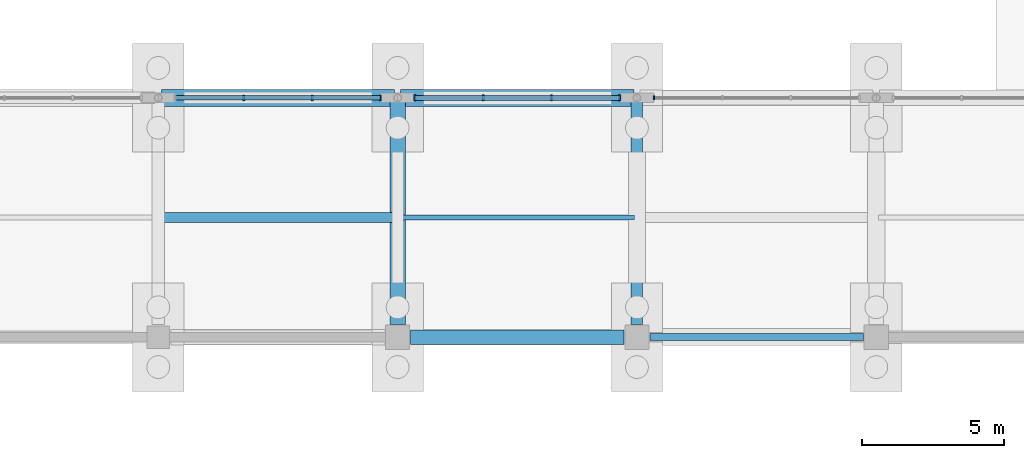
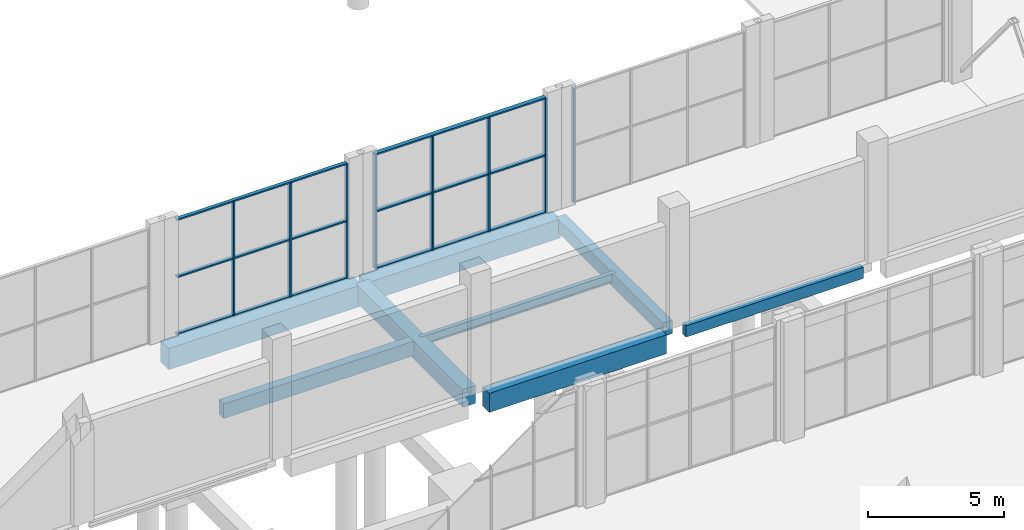
# One storey, part 36 of 82: 14 members, 8 beams, 3 elements without a shape of their own.
"""IFC4 building model written with IfcOpenShell, lengths in metres."""

from ifc_helpers import new_model, si_unit, derived_unit, direction, frame, origin, origin_2d, place, context, subcontext, project, spatial, rectangle, i_section, extrude, material, material_profile, profile_set, type_object, element, aggregate, save


model = new_model("IFC4")

# Units and contexts
model_context = context("Model", 3, precision=1e-05, world=origin(), true_north=direction((0.0, 1.0)))
body_context = subcontext(model_context, "Body", "Model", "MODEL_VIEW")
ifc_project = project(units=[si_unit("LENGTHUNIT", "METRE"), si_unit("AREAUNIT", "SQUARE_METRE"), si_unit("VOLUMEUNIT", "CUBIC_METRE"), si_unit("PLANEANGLEUNIT", "RADIAN"), si_unit("MASSUNIT", "GRAM", prefix="KILO"), derived_unit("THERMALTRANSMITTANCEUNIT", [(si_unit("POWERUNIT", "WATT"), 1), (si_unit("LENGTHUNIT", "METRE"), -2), (si_unit("THERMODYNAMICTEMPERATUREUNIT", "KELVIN"), -1)])], contexts=[model_context])

# Site, building, storey
site_placement = place(None, origin())
site = spatial("IfcSite", under=ifc_project, at=site_placement, CompositionType="ELEMENT")
building_placement = place(site_placement, origin())
building = spatial("IfcBuilding", under=site, at=building_placement, Name="Barrovel Congress Hotel", CompositionType="ELEMENT")
storey_placement = place(building_placement, origin())
storey = spatial("IfcBuildingStorey", under=building, at=storey_placement, Name="L00", CompositionType="ELEMENT", Elevation=0.0)

# Beams
ifc_material_1 = material(Name="Concrete C40", Category="concrete")
ifc_material_profile_1 = material_profile(ifc_material_1, rectangle(XDim=0.25, YDim=0.5, at=origin_2d()), Name="RC250x500")
ifc_profile_set_1 = profile_set([ifc_material_profile_1], Name="Concrete C40")
beam_type_1 = type_object("IfcBeamType", Name="BM-RC250x500", PredefinedType="SPANDREL", material=ifc_profile_set_1)
beam_1_placement = place(storey_placement, frame((109.64990234375, 37.800048828125, -0.570068359375), z_axis=(1.0, 0.0, 0.0), x_axis=(0.0, 1.0, 0.0)))
element("IfcBeam", 1, at=beam_1_placement, inside=storey, type_object=beam_type_1, Name="BMX:L00:37.8:109.2-117.6", PredefinedType="SPANDREL", context=body_context, shape_type="SweptSolid", body=[
    extrude(rectangle(XDim=0.25, YDim=0.5, at=origin_2d()), origin(), (0.0, 0.0, 1.0), 7.5),
])
ifc_material_profile_2 = material_profile(ifc_material_1, rectangle(XDim=0.35009765625, YDim=0.64990234375, at=origin_2d()), Name="RC350x650")
ifc_profile_set_2 = profile_set([ifc_material_profile_2], Name="Concrete C40")
beam_type_2 = type_object("IfcBeamType", Name="BM-RC350x650", PredefinedType="JOIST", material=ifc_profile_set_2)
beam_2_placement = place(storey_placement, frame((92.47998046875, 42.0, -0.64501953125), z_axis=(1.0, 0.0, 0.0), x_axis=(0.0, 1.0, 0.0)))
element("IfcBeam", 2, at=beam_2_placement, inside=storey, type_object=beam_type_2, Name="JST:L00:92.4:42.0", PredefinedType="JOIST", context=body_context, shape_type="SweptSolid", body=[
    extrude(rectangle(XDim=0.35009765625, YDim=0.64990234375, at=origin_2d()), origin(), (0.0, 0.0, 1.0), 8.239990234375),
])
ifc_material_profile_3 = material_profile(ifc_material_1, rectangle(XDim=0.39990234375, YDim=0.60009765625, at=origin_2d()), Name="RC400x600")
ifc_profile_set_3 = profile_set([ifc_material_profile_3], Name="Concrete C40")
beam_type_3 = type_object("IfcBeamType", Name="BM-RC400x600", PredefinedType="BEAM", material=ifc_profile_set_3)
beam_3_placement = place(storey_placement, frame((109.199951171875, 38.25, -0.6201171875), z_axis=(0.0, 1.0, 0.0), x_axis=(-1.0, 0.0, 0.0)))
element("IfcBeam", 3, at=beam_3_placement, inside=storey, type_object=beam_type_3, Name="BMY:L00:109.2:37.8-46.2", PredefinedType="BEAM", context=body_context, shape_type="SweptSolid", body=[
    extrude(rectangle(XDim=0.39990234375, YDim=0.60009765625, at=origin_2d()), origin(), (0.0, 0.0, 1.0), 7.840576171875),
])
ifc_material_profile_4 = material_profile(ifc_material_1, rectangle(XDim=0.5, YDim=0.85009765625, at=origin_2d()), Name="RC500x850")
ifc_profile_set_4 = profile_set([ifc_material_profile_4], Name="Concrete C40")
beam_type_4 = type_object("IfcBeamType", Name="BM-RC500x850", PredefinedType="BEAM", material=ifc_profile_set_4)
beam_4_placement = place(storey_placement, frame((101.25, 37.800048828125, -0.7451171875), z_axis=(1.0, 0.0, 0.0), x_axis=(0.0, 1.0, 0.0)))
element("IfcBeam", 4, at=beam_4_placement, inside=storey, type_object=beam_type_4, Name="BMX:L00:37.8:100.8-109.2", PredefinedType="BEAM", context=body_context, shape_type="SweptSolid", body=[
    extrude(rectangle(XDim=0.5, YDim=0.85009765625, at=origin_2d()), origin(), (0.0, 0.0, 1.0), 7.5),
])
ifc_material_profile_5 = material_profile(ifc_material_1, rectangle(XDim=0.550048828125, YDim=0.800048828125, at=origin_2d()), Name="RC550x800")
ifc_profile_set_5 = profile_set([ifc_material_profile_5], Name="Concrete C40")
beam_type_5 = type_object("IfcBeamType", Name="BM-RC550x800", PredefinedType="BEAM", material=ifc_profile_set_5)
beam_5_placement = place(storey_placement, frame((100.800048828125, 38.25, -0.719970703125), z_axis=(0.0, 1.0, 0.0), x_axis=(-1.0, 0.0, 0.0)))
element("IfcBeam", 5, at=beam_5_placement, inside=storey, type_object=beam_type_5, Name="BMY:L00:100.8:37.8-46.2", PredefinedType="BEAM", context=body_context, shape_type="SweptSolid", body=[
    extrude(rectangle(XDim=0.550048828125, YDim=0.800048828125, at=origin_2d()), origin(), (0.0, 0.0, 1.0), 7.840576171875),
])
ifc_material_profile_6 = material_profile(ifc_material_1, rectangle(XDim=0.60009765625, YDim=0.85009765625, at=origin_2d()), Name="RC600x850")
ifc_profile_set_6 = profile_set([ifc_material_profile_6], Name="Concrete C40")
beam_type_6 = type_object("IfcBeamType", Name="BM-RC600x850", PredefinedType="BEAM", material=ifc_profile_set_6)
beam_6_placement = place(storey_placement, frame((100.909423828125, 46.199951171875, -0.7451171875), z_axis=(1.0, 0.0, 0.0), x_axis=(0.0, 1.0, 0.0)))
element("IfcBeam", 6, at=beam_6_placement, inside=storey, type_object=beam_type_6, Name="BMX:L00:46.2:100.8-109.2", PredefinedType="BEAM", context=body_context, shape_type="SweptSolid", body=[
    extrude(rectangle(XDim=0.60009765625, YDim=0.85009765625, at=origin_2d()), origin(), (0.0, 0.0, 1.0), 8.18115234375),
])
ifc_material_profile_7 = material_profile(ifc_material_1, rectangle(XDim=0.60009765625, YDim=0.949951171875, at=origin_2d()), Name="RC600x950")
ifc_profile_set_7 = profile_set([ifc_material_profile_7], Name="Concrete C40")
beam_type_7 = type_object("IfcBeamType", Name="BM-RC600x950", PredefinedType="BEAM", material=ifc_profile_set_7)
beam_7_placement = place(storey_placement, frame((92.509521484375, 46.199951171875, -0.794921875), z_axis=(1.0, 0.0, 0.0), x_axis=(0.0, 1.0, 0.0)))
element("IfcBeam", 7, at=beam_7_placement, inside=storey, type_object=beam_type_7, Name="BMX:L00:46.2:92.4-100.8", PredefinedType="BEAM", context=body_context, shape_type="SweptSolid", body=[
    extrude(rectangle(XDim=0.60009765625, YDim=0.949951171875, at=origin_2d()), origin(), (0.0, 0.0, 1.0), 8.180908203125),
])

# Curtain wall, member
ifc_material_2 = material(Name="Anodised Aluminium Alloy 6063-T6", Category="aluminium")
curtain_wall_type = type_object("IfcCurtainWallType", Name="CW-ST-6400x4200", PredefinedType="USERDEFINED", material=ifc_material_2)
curtain_wall_1_placement = place(storey_placement, origin())
curtain_wall_1 = element("IfcCurtainWall", 8, at=curtain_wall_1_placement, inside=storey, type_object=curtain_wall_type, Name="CW:L00:CL:13", ObjectType="STICK CURTAIN WALL", PredefinedType="USERDEFINED")
ifc_material_profile_8 = material_profile(ifc_material_2, rectangle(XDim=0.06005859375, YDim=0.139892578125, at=origin_2d()), Name="AL-M60x140")
ifc_profile_set_8 = profile_set([ifc_material_profile_8], Name="Anodised Aluminium Alloy 6063-T6")
member_type_1 = type_object("IfcMemberType", Name="CWM-AL-M60x140", PredefinedType="MULLION", material=ifc_profile_set_8)
member_1_placement = place(storey_placement, frame((109.800048828125, 46.199951171875, 0.0), z_axis=(0.0, 0.0, 1.0), x_axis=(1.0, 0.0, 0.0)))
member_1 = element("IfcMember", 9, at=member_1_placement, type_object=member_type_1, Name="CW:L00:CL:13:M3", PredefinedType="MULLION", context=body_context, shape_type="SweptSolid", body=[
    extrude(rectangle(XDim=0.06005859375, YDim=0.139892578125, at=origin_2d()), origin(), (0.0, 0.0, 1.0), 5.1201171875),
])
aggregate(curtain_wall_1, [member_1])

# Curtain wall, members
curtain_wall_2_placement = place(storey_placement, origin())
curtain_wall_2 = element("IfcCurtainWall", 10, at=curtain_wall_2_placement, inside=storey, type_object=curtain_wall_type, Name="CW:L00:CL:11", ObjectType="STICK CURTAIN WALL", PredefinedType="USERDEFINED")
ifc_material_profile_9 = material_profile(ifc_material_2, rectangle(XDim=0.06494140625, YDim=0.18994140625, at=origin_2d()), Name="AL-M65x190")
ifc_profile_set_9 = profile_set([ifc_material_profile_9], Name="Anodised Aluminium Alloy 6063-T6")
member_type_2 = type_object("IfcMemberType", Name="CWM-AL-M65x190", PredefinedType="MULLION", material=ifc_profile_set_9)
member_2_placement = place(storey_placement, frame((100.199951171875, 46.199951171875, 0.0), z_axis=(0.0, 0.0, 1.0), x_axis=(1.0, 0.0, 0.0)))
member_2 = element("IfcMember", 11, at=member_2_placement, type_object=member_type_2, Name="CW:L00:CL:11:M0", PredefinedType="MULLION", context=body_context, shape_type="SweptSolid", body=[
    extrude(rectangle(XDim=0.06494140625, YDim=0.18994140625, at=origin_2d()), origin(), (0.0, 0.0, 1.0), 5.1201171875),
])
member_3_placement = place(storey_placement, frame((97.800048828125, 46.199951171875, 0.0), z_axis=(0.0, 0.0, 1.0), x_axis=(1.0, 0.0, 0.0)))
member_3 = element("IfcMember", 12, at=member_3_placement, type_object=member_type_2, Name="CW:L00:CL:11:M1", PredefinedType="MULLION", context=body_context, shape_type="SweptSolid", body=[
    extrude(rectangle(XDim=0.06494140625, YDim=0.18994140625, at=origin_2d()), origin(), (0.0, 0.0, 1.0), 5.1201171875),
])
member_4_placement = place(storey_placement, frame((95.39990234375, 46.199951171875, 0.0), z_axis=(0.0, 0.0, 1.0), x_axis=(1.0, 0.0, 0.0)))
member_4 = element("IfcMember", 13, at=member_4_placement, type_object=member_type_2, Name="CW:L00:CL:11:M2", PredefinedType="MULLION", context=body_context, shape_type="SweptSolid", body=[
    extrude(rectangle(XDim=0.06494140625, YDim=0.18994140625, at=origin_2d()), origin(), (0.0, 0.0, 1.0), 5.1201171875),
])

curtain_wall_3_placement = place(storey_placement, origin())
curtain_wall_3 = element("IfcCurtainWall", 14, at=curtain_wall_3_placement, inside=storey, type_object=curtain_wall_type, Name="CW:L00:CL:12", ObjectType="STICK CURTAIN WALL", PredefinedType="USERDEFINED")
ifc_material_profile_10 = material_profile(ifc_material_2, rectangle(XDim=0.06494140625, YDim=0.219970703125, at=origin_2d()), Name="AL-M65x220")
ifc_profile_set_10 = profile_set([ifc_material_profile_10], Name="Anodised Aluminium Alloy 6063-T6")
member_type_3 = type_object("IfcMemberType", Name="CWM-AL-M65x220", PredefinedType="MULLION", material=ifc_profile_set_10)
member_5_placement = place(storey_placement, frame((108.60009765625, 46.199951171875, 0.0), z_axis=(0.0, 0.0, 1.0), x_axis=(1.0, 0.0, 0.0)))
member_5 = element("IfcMember", 15, at=member_5_placement, type_object=member_type_3, Name="CW:L00:CL:12:M0", PredefinedType="MULLION", context=body_context, shape_type="SweptSolid", body=[
    extrude(rectangle(XDim=0.06494140625, YDim=0.219970703125, at=origin_2d()), origin(), (0.0, 0.0, 1.0), 5.1201171875),
])
member_6_placement = place(storey_placement, frame((106.199951171875, 46.199951171875, 0.0), z_axis=(0.0, 0.0, 1.0), x_axis=(1.0, 0.0, 0.0)))
member_6 = element("IfcMember", 16, at=member_6_placement, type_object=member_type_3, Name="CW:L00:CL:12:M1", PredefinedType="MULLION", context=body_context, shape_type="SweptSolid", body=[
    extrude(rectangle(XDim=0.06494140625, YDim=0.219970703125, at=origin_2d()), origin(), (0.0, 0.0, 1.0), 5.1201171875),
])
member_7_placement = place(storey_placement, frame((103.800048828125, 46.199951171875, 0.0), z_axis=(0.0, 0.0, 1.0), x_axis=(1.0, 0.0, 0.0)))
member_7 = element("IfcMember", 17, at=member_7_placement, type_object=member_type_3, Name="CW:L00:CL:12:M2", PredefinedType="MULLION", context=body_context, shape_type="SweptSolid", body=[
    extrude(rectangle(XDim=0.06494140625, YDim=0.219970703125, at=origin_2d()), origin(), (0.0, 0.0, 1.0), 5.1201171875),
])
member_8_placement = place(storey_placement, frame((101.39990234375, 46.199951171875, 0.0), z_axis=(0.0, 0.0, 1.0), x_axis=(1.0, 0.0, 0.0)))
member_8 = element("IfcMember", 18, at=member_8_placement, type_object=member_type_3, Name="CW:L00:CL:12:M3", PredefinedType="MULLION", context=body_context, shape_type="SweptSolid", body=[
    extrude(rectangle(XDim=0.06494140625, YDim=0.219970703125, at=origin_2d()), origin(), (0.0, 0.0, 1.0), 5.1201171875),
])

# Member
ifc_material_profile_11 = material_profile(ifc_material_2, rectangle(XDim=0.14990234375, YDim=0.06494140625, at=origin_2d()), Name="AL-T65x150")
ifc_profile_set_11 = profile_set([ifc_material_profile_11], Name="Anodised Aluminium Alloy 6063-T6")
member_type_4 = type_object("IfcMemberType", Name="CWT-AL-T65x150", PredefinedType="USERDEFINED", material=ifc_profile_set_11)
member_9_placement = place(storey_placement, frame((100.199951171875, 46.199951171875, 0.0), z_axis=(-1.0, 0.0, 0.0), x_axis=(0.0, -1.0, 0.0)))
member_9 = element("IfcMember", 19, at=member_9_placement, type_object=member_type_4, Name="CW:L00:CL:11:T0", ObjectType="TRANSOM", PredefinedType="USERDEFINED", context=body_context, shape_type="SweptSolid", body=[
    extrude(rectangle(XDim=0.14990234375, YDim=0.06494140625, at=origin_2d()), origin(), (0.0, 0.0, 1.0), 7.199951171875),
])

member_10_placement = place(storey_placement, frame((100.199951171875, 46.199951171875, 2.56005859375), z_axis=(-1.0, 0.0, 0.0), x_axis=(0.0, -1.0, 0.0)))
member_10 = element("IfcMember", 20, at=member_10_placement, type_object=member_type_4, Name="CW:L00:CL:11:T1", ObjectType="TRANSOM", PredefinedType="USERDEFINED", context=body_context, shape_type="SweptSolid", body=[
    extrude(rectangle(XDim=0.14990234375, YDim=0.06494140625, at=origin_2d()), origin(), (0.0, 0.0, 1.0), 7.199951171875),
])

member_11_placement = place(storey_placement, frame((100.199951171875, 46.199951171875, 5.1201171875), z_axis=(-1.0, 0.0, 0.0), x_axis=(0.0, -1.0, 0.0)))
member_11 = element("IfcMember", 21, at=member_11_placement, type_object=member_type_4, Name="CW:L00:CL:11:T2", ObjectType="TRANSOM", PredefinedType="USERDEFINED", context=body_context, shape_type="SweptSolid", body=[
    extrude(rectangle(XDim=0.14990234375, YDim=0.06494140625, at=origin_2d()), origin(), (0.0, 0.0, 1.0), 7.199951171875),
])

aggregate(curtain_wall_2, [member_2, member_3, member_4, member_9, member_10, member_11])

ifc_material_profile_12 = material_profile(ifc_material_2, rectangle(XDim=0.179931640625, YDim=0.06494140625, at=origin_2d()), Name="AL-T65x180")
ifc_profile_set_12 = profile_set([ifc_material_profile_12], Name="Anodised Aluminium Alloy 6063-T6")
member_type_5 = type_object("IfcMemberType", Name="CWT-AL-T65x180", PredefinedType="USERDEFINED", material=ifc_profile_set_12)
member_12_placement = place(storey_placement, frame((108.60009765625, 46.199951171875, 0.0), z_axis=(-1.0, 0.0, 0.0), x_axis=(0.0, -1.0, 0.0)))
member_12 = element("IfcMember", 22, at=member_12_placement, type_object=member_type_5, Name="CW:L00:CL:12:T0", ObjectType="TRANSOM", PredefinedType="USERDEFINED", context=body_context, shape_type="SweptSolid", body=[
    extrude(rectangle(XDim=0.179931640625, YDim=0.06494140625, at=origin_2d()), origin(), (0.0, 0.0, 1.0), 7.2001953125),
])

member_13_placement = place(storey_placement, frame((108.60009765625, 46.199951171875, 2.56005859375), z_axis=(-1.0, 0.0, 0.0), x_axis=(0.0, -1.0, 0.0)))
member_13 = element("IfcMember", 23, at=member_13_placement, type_object=member_type_5, Name="CW:L00:CL:12:T1", ObjectType="TRANSOM", PredefinedType="USERDEFINED", context=body_context, shape_type="SweptSolid", body=[
    extrude(rectangle(XDim=0.179931640625, YDim=0.06494140625, at=origin_2d()), origin(), (0.0, 0.0, 1.0), 7.2001953125),
])

member_14_placement = place(storey_placement, frame((108.60009765625, 46.199951171875, 5.1201171875), z_axis=(-1.0, 0.0, 0.0), x_axis=(0.0, -1.0, 0.0)))
member_14 = element("IfcMember", 24, at=member_14_placement, type_object=member_type_5, Name="CW:L00:CL:12:T2", ObjectType="TRANSOM", PredefinedType="USERDEFINED", context=body_context, shape_type="SweptSolid", body=[
    extrude(rectangle(XDim=0.179931640625, YDim=0.06494140625, at=origin_2d()), origin(), (0.0, 0.0, 1.0), 7.2001953125),
])

aggregate(curtain_wall_3, [member_5, member_6, member_7, member_8, member_12, member_13, member_14])

# Beam
ifc_material_3 = material(Name="Steel ASTM A992 Grade 50", Category="steel")
ifc_material_profile_13 = material_profile(ifc_material_3, i_section(OverallWidth=0.177001953125, OverallDepth=0.403076171875, WebThickness=0.007568359375, FlangeThickness=0.010986328125, FilletRadius=0.011962890625, at=origin_2d()), Name="W410x53")
ifc_profile_set_13 = profile_set([ifc_material_profile_13], Name="Steel ASTM A992 Grade 50")
beam_type_8 = type_object("IfcBeamType", Name="SBM-W410x53", PredefinedType="JOIST", material=ifc_profile_set_13)
beam_8_placement = place(storey_placement, frame((100.8798828125, 42.0, -0.521484375), z_axis=(1.0, 0.0, 0.0), x_axis=(0.0, 1.0, 0.0)))
element("IfcBeam", 25, at=beam_8_placement, inside=storey, type_object=beam_type_8, Name="JST:L00:100.8:42.0", PredefinedType="JOIST", context=body_context, shape_type="SweptSolid", body=[
    extrude(i_section(OverallWidth=0.177001953125, OverallDepth=0.403076171875, WebThickness=0.007568359375, FlangeThickness=0.010986328125, FilletRadius=0.011962890625, at=origin_2d()), origin(), (0.0, 0.0, 1.0), 8.240234375),
])

save(model, "model.ifc")
